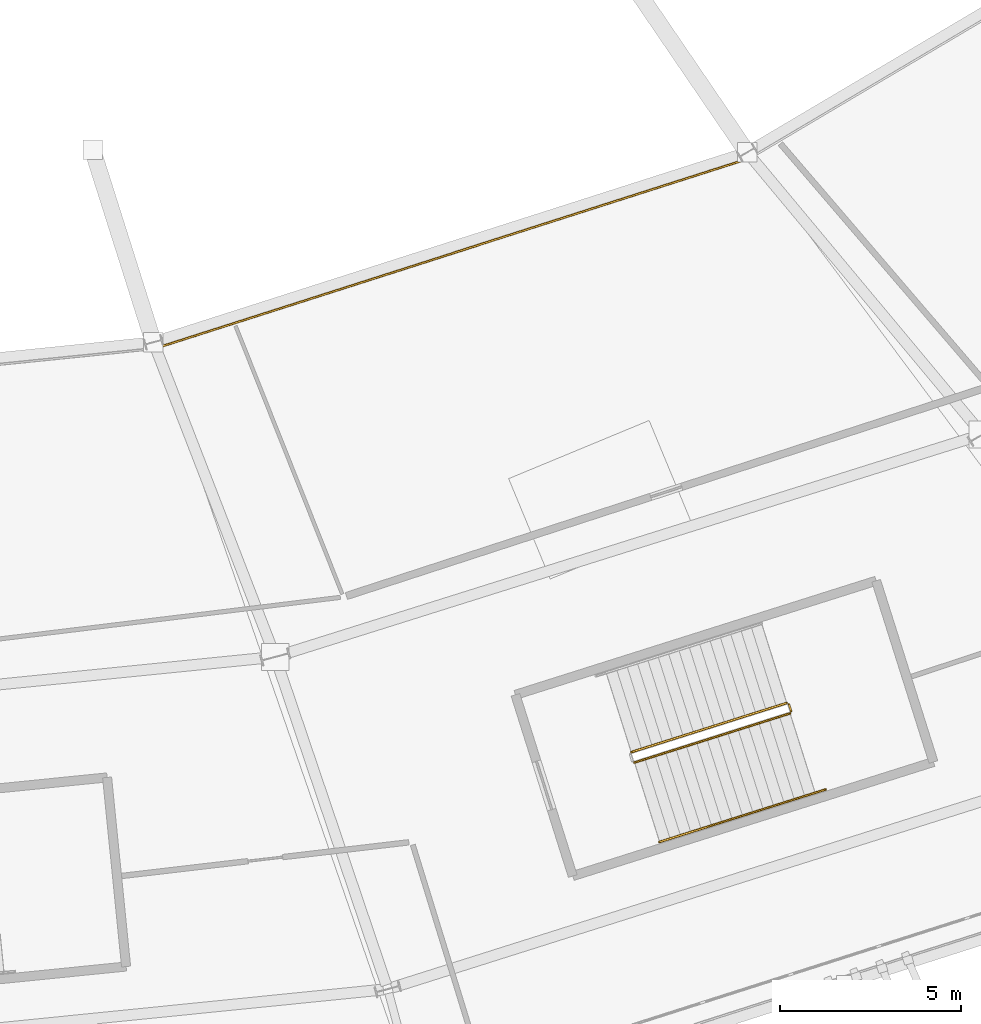
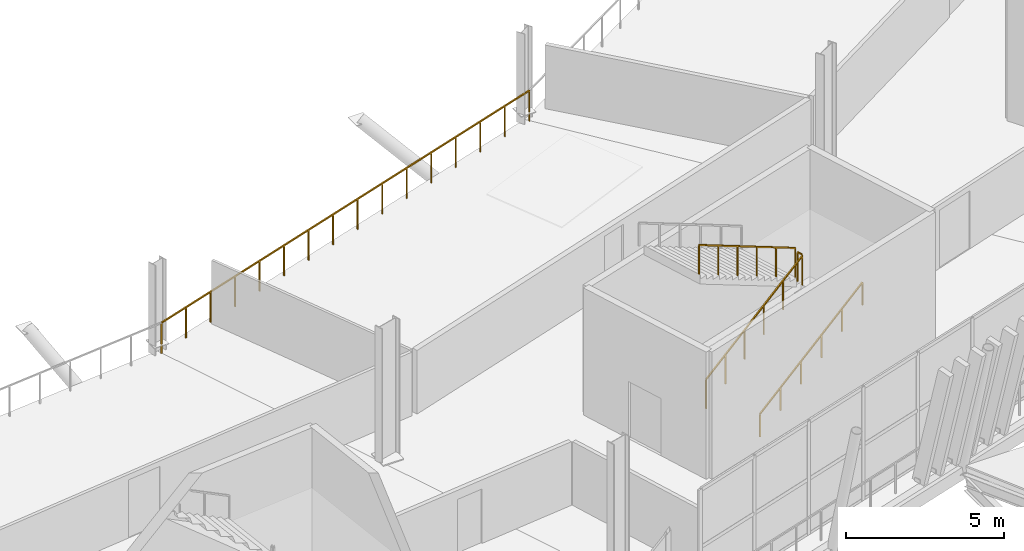
# One storey, part 153 of 168: 5 railings.
"""IFC4 building model written with IfcOpenShell, lengths in metres."""

from ifc_helpers import new_model, si_unit, direction, frame, origin, origin_2d, place, context, subcontext, project, spatial, rectangle, extrude, material, type_object, element, save


model = new_model("IFC4")

# Units and contexts
model_context = context("Model", 3, precision=1e-05, world=origin(), true_north=direction((0.0, 1.0)))
body_context = subcontext(model_context, "Body", "Model", "MODEL_VIEW")
ifc_project = project(units=[si_unit("LENGTHUNIT", "METRE"), si_unit("AREAUNIT", "SQUARE_METRE"), si_unit("VOLUMEUNIT", "CUBIC_METRE"), si_unit("PLANEANGLEUNIT", "RADIAN"), si_unit("MASSUNIT", "GRAM", prefix="KILO")], contexts=[model_context])

# Site, building, storey
site_placement = place(None, origin())
site = spatial("IfcSite", under=ifc_project, at=site_placement, CompositionType="ELEMENT")
building_placement = place(site_placement, origin())
building = spatial("IfcBuilding", under=site, at=building_placement, Name="Zlatoyarsky Gate Stadium", CompositionType="ELEMENT")
storey_placement = place(building_placement, frame((0.0, 0.0, 15.60009765625)))
storey = spatial("IfcBuildingStorey", under=building, at=storey_placement, Name="L03", CompositionType="ELEMENT", Elevation=15.60009765625)

# Railings
ifc_material_1 = material(Name="Powder-coated steel tubular guardrail", Category="steel")
railing_type_1 = type_object("IfcRailingType", Name="CONCOURSE SLAB EDGE GUARDRAIL 1200", PredefinedType="GUARDRAIL", material=ifc_material_1)
railing_1_placement = place(storey_placement, frame((128.646240234375, 29.114990234375, 0.0)))
element("IfcRailing", 1, at=railing_1_placement, inside=storey, type_object=railing_type_1, Name="L03 inner bowl edge guardrail 19", PredefinedType="GUARDRAIL", context=body_context, shape_type="SweptSolid", body=[
    extrude(rectangle(XDim=0.048095703125, YDim=0.048095703125, at=origin_2d()), frame((0.0, 0.0, 1.17578125), z_axis=(0.952412982001, 0.304810616148, 0.0), x_axis=(-0.304810616148, 0.952412982001, 0.0)), (0.0, 0.0, 1.0), 17.265380859375),
    extrude(rectangle(XDim=0.0419921875, YDim=0.0419921875, at=origin_2d()), origin(), (0.0, 0.0, 1.0), 1.15185546875),
    extrude(rectangle(XDim=0.0419921875, YDim=0.0419921875, at=origin_2d()), frame((1.09619140625, 0.350830078125, 0.0)), (0.0, 0.0, 1.0), 1.15185546875),
    extrude(rectangle(XDim=0.0419921875, YDim=0.0419921875, at=origin_2d()), frame((2.192626953125, 0.70166015625, 0.0)), (0.0, 0.0, 1.0), 1.15185546875),
    extrude(rectangle(XDim=0.0419921875, YDim=0.0419921875, at=origin_2d()), frame((3.288818359375, 1.052490234375, 0.0)), (0.0, 0.0, 1.0), 1.15185546875),
    extrude(rectangle(XDim=0.0419921875, YDim=0.0419921875, at=origin_2d()), frame((4.385009765625, 1.4033203125, 0.0)), (0.0, 0.0, 1.0), 1.15185546875),
    extrude(rectangle(XDim=0.0419921875, YDim=0.0419921875, at=origin_2d()), frame((5.481201171875, 1.754150390625, 0.0)), (0.0, 0.0, 1.0), 1.15185546875),
    extrude(rectangle(XDim=0.0419921875, YDim=0.0419921875, at=origin_2d()), frame((6.57763671875, 2.10498046875, 0.0)), (0.0, 0.0, 1.0), 1.15185546875),
    extrude(rectangle(XDim=0.0419921875, YDim=0.0419921875, at=origin_2d()), frame((7.673828125, 2.455810546875, 0.0)), (0.0, 0.0, 1.0), 1.15185546875),
    extrude(rectangle(XDim=0.0419921875, YDim=0.0419921875, at=origin_2d()), frame((8.77001953125, 2.806884765625, 0.0)), (0.0, 0.0, 1.0), 1.15185546875),
    extrude(rectangle(XDim=0.0419921875, YDim=0.0419921875, at=origin_2d()), frame((9.8662109375, 3.15771484375, 0.0)), (0.0, 0.0, 1.0), 1.15185546875),
    extrude(rectangle(XDim=0.0419921875, YDim=0.0419921875, at=origin_2d()), frame((10.962646484375, 3.508544921875, 0.0)), (0.0, 0.0, 1.0), 1.15185546875),
    extrude(rectangle(XDim=0.0419921875, YDim=0.0419921875, at=origin_2d()), frame((12.058837890625, 3.859375, 0.0)), (0.0, 0.0, 1.0), 1.15185546875),
    extrude(rectangle(XDim=0.0419921875, YDim=0.0419921875, at=origin_2d()), frame((13.155029296875, 4.210205078125, 0.0)), (0.0, 0.0, 1.0), 1.15185546875),
    extrude(rectangle(XDim=0.0419921875, YDim=0.0419921875, at=origin_2d()), frame((14.251220703125, 4.56103515625, 0.0)), (0.0, 0.0, 1.0), 1.15185546875),
    extrude(rectangle(XDim=0.0419921875, YDim=0.0419921875, at=origin_2d()), frame((15.34765625, 4.911865234375, 0.0)), (0.0, 0.0, 1.0), 1.15185546875),
    extrude(rectangle(XDim=0.0419921875, YDim=0.0419921875, at=origin_2d()), frame((16.44384765625, 5.2626953125, 0.0)), (0.0, 0.0, 1.0), 1.15185546875),
])
ifc_material_2 = material(Name="Powder-coated steel stair guardrail", Category="steel")
railing_type_2 = type_object("IfcRailingType", Name="PAINTED STEEL STAIR WELL GUARDRAIL 1150", PredefinedType="GUARDRAIL", material=ifc_material_2)
railing_2_placement = place(storey_placement, frame((141.891357421875, 17.678466796875, 0.162353515625)))
element("IfcRailing", 2, at=railing_2_placement, inside=storey, type_object=railing_type_2, Name="ST-16 L03 stair guard 1", PredefinedType="GUARDRAIL", context=body_context, shape_type="SweptSolid", body=[
    extrude(rectangle(XDim=0.048095703125, YDim=0.048095703125, at=origin_2d()), frame((0.0, 0.0, 1.1259765625), z_axis=(0.838387862461, 0.265087985872, 0.476271090686), x_axis=(-0.301476673217, 0.953473552599, 0.0)), (0.0, 0.0, 1.0), 5.117919921875),
    extrude(rectangle(XDim=0.0419921875, YDim=0.0419921875, at=origin_2d()), origin(), (0.0, 0.0, 1.0), 1.101806640625),
    extrude(rectangle(XDim=0.0419921875, YDim=0.0419921875, at=origin_2d()), frame((0.858154296875, 0.271240234375, 0.487548828125)), (0.0, 0.0, 1.0), 1.101806640625),
    extrude(rectangle(XDim=0.0419921875, YDim=0.0419921875, at=origin_2d()), frame((1.71630859375, 0.542724609375, 0.97509765625)), (0.0, 0.0, 1.0), 1.101806640625),
    extrude(rectangle(XDim=0.0419921875, YDim=0.0419921875, at=origin_2d()), frame((2.574462890625, 0.81396484375, 1.46240234375)), (0.0, 0.0, 1.0), 1.101806640625),
    extrude(rectangle(XDim=0.0419921875, YDim=0.0419921875, at=origin_2d()), frame((3.4326171875, 1.08544921875, 1.949951171875)), (0.0, 0.0, 1.0), 1.101806640625),
    extrude(rectangle(XDim=0.0419921875, YDim=0.0419921875, at=origin_2d()), frame((4.290771484375, 1.356689453125, 2.4375)), (0.0, 0.0, 1.0), 1.101806640625),
])
railing_3_placement = place(storey_placement, frame((146.214599609375, 19.097900390625, 2.599853515625)))
element("IfcRailing", 3, at=railing_3_placement, inside=storey, type_object=railing_type_2, Name="ST-16 L03 stair guard 2", PredefinedType="GUARDRAIL", context=body_context, shape_type="SweptSolid", body=[
    extrude(rectangle(XDim=0.048095703125, YDim=0.048095703125, at=origin_2d()), frame((0.0, 0.0, 1.1259765625), z_axis=(-0.301540327315, 0.953453423615, 0.0), x_axis=(-0.953453423615, -0.301540327315, 0.0)), (0.0, 0.0, 1.0), 0.199951171875),
    extrude(rectangle(XDim=0.0419921875, YDim=0.0419921875, at=origin_2d()), origin(), (0.0, 0.0, 1.0), 1.101806640625),
    extrude(rectangle(XDim=0.0419921875, YDim=0.0419921875, at=origin_2d()), frame((-0.060302734375, 0.190673828125, 0.0)), (0.0, 0.0, 1.0), 1.101806640625),
])
railing_4_placement = place(storey_placement, frame((146.091552734375, 19.3212890625, 2.762451171875)))
element("IfcRailing", 4, at=railing_4_placement, inside=storey, type_object=railing_type_2, Name="ST-16 L03 stair guard 3", PredefinedType="GUARDRAIL", context=body_context, shape_type="SweptSolid", body=[
    extrude(rectangle(XDim=0.048095703125, YDim=0.048095703125, at=origin_2d()), frame((0.0, 0.0, 1.1259765625), z_axis=(-0.838363085299, -0.26514294003, 0.476284115376), x_axis=(0.301541590324, -0.953453024173, 0.0)), (0.0, 0.0, 1.0), 5.11767578125),
    extrude(rectangle(XDim=0.0419921875, YDim=0.0419921875, at=origin_2d()), origin(), (0.0, 0.0, 1.0), 1.101806640625),
    extrude(rectangle(XDim=0.0419921875, YDim=0.0419921875, at=origin_2d()), frame((-0.858154296875, -0.271484375, 0.487548828125)), (0.0, 0.0, 1.0), 1.101806640625),
    extrude(rectangle(XDim=0.0419921875, YDim=0.0419921875, at=origin_2d()), frame((-1.71630859375, -0.542724609375, 0.97509765625)), (0.0, 0.0, 1.0), 1.101806640625),
    extrude(rectangle(XDim=0.0419921875, YDim=0.0419921875, at=origin_2d()), frame((-2.57421875, -0.814208984375, 1.46240234375)), (0.0, 0.0, 1.0), 1.101806640625),
    extrude(rectangle(XDim=0.0419921875, YDim=0.0419921875, at=origin_2d()), frame((-3.432373046875, -1.08544921875, 1.949951171875)), (0.0, 0.0, 1.0), 1.101806640625),
    extrude(rectangle(XDim=0.0419921875, YDim=0.0419921875, at=origin_2d()), frame((-4.29052734375, -1.35693359375, 2.4375)), (0.0, 0.0, 1.0), 1.101806640625),
])
ifc_material_3 = material(Name="Brushed stainless steel 316 handrail", Category="steel")
railing_type_3 = type_object("IfcRailingType", Name="STAINLESS STEEL TUBULAR HANDRAIL 900", PredefinedType="HANDRAIL", material=ifc_material_3)
railing_5_placement = place(storey_placement, frame((142.5849609375, 15.4853515625, 0.16650390625)))
element("IfcRailing", 5, at=railing_5_placement, inside=storey, type_object=railing_type_3, Name="ST-16 L03 stair handrail 1", PredefinedType="HANDRAIL", context=body_context, shape_type="SweptSolid", body=[
    extrude(rectangle(XDim=0.048095703125, YDim=0.048095703125, at=origin_2d()), frame((0.0, 0.0, 0.8759765625), z_axis=(0.838384417276, 0.265120176337, 0.476259237148), x_axis=(-0.301511080938, 0.953462672616, 0.0)), (0.0, 0.0, 1.0), 5.458984375),
    extrude(rectangle(XDim=0.0419921875, YDim=0.0419921875, at=origin_2d()), origin(), (0.0, 0.0, 1.0), 0.851806640625),
    extrude(rectangle(XDim=0.0419921875, YDim=0.0419921875, at=origin_2d()), frame((0.915283203125, 0.28955078125, 0.52001953125)), (0.0, 0.0, 1.0), 0.851806640625),
    extrude(rectangle(XDim=0.0419921875, YDim=0.0419921875, at=origin_2d()), frame((1.83056640625, 0.578857421875, 1.0400390625)), (0.0, 0.0, 1.0), 0.851806640625),
    extrude(rectangle(XDim=0.0419921875, YDim=0.0419921875, at=origin_2d()), frame((2.74609375, 0.868408203125, 1.559814453125)), (0.0, 0.0, 1.0), 0.851806640625),
    extrude(rectangle(XDim=0.0419921875, YDim=0.0419921875, at=origin_2d()), frame((3.661376953125, 1.15771484375, 2.079833984375)), (0.0, 0.0, 1.0), 0.851806640625),
    extrude(rectangle(XDim=0.0419921875, YDim=0.0419921875, at=origin_2d()), frame((4.57666015625, 1.447265625, 2.599853515625)), (0.0, 0.0, 1.0), 0.851806640625),
])

save(model, "model.ifc")
